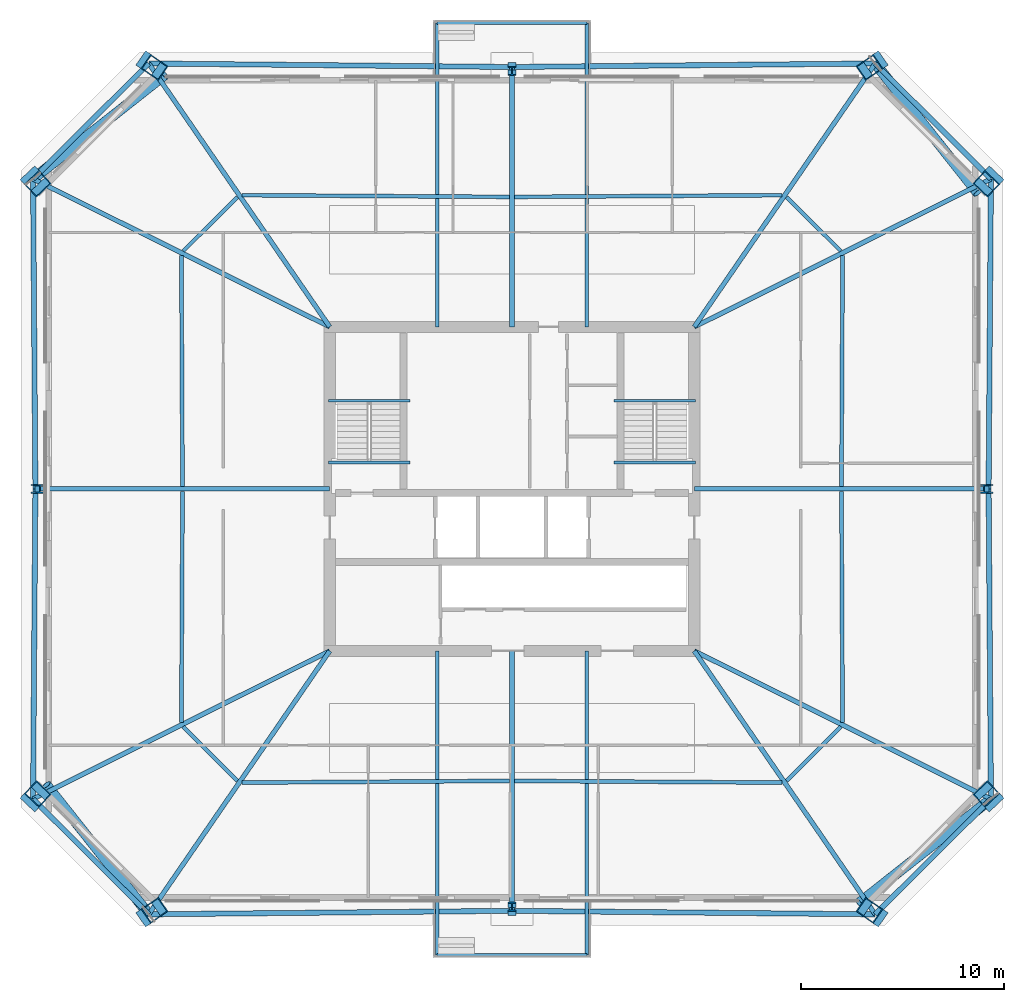
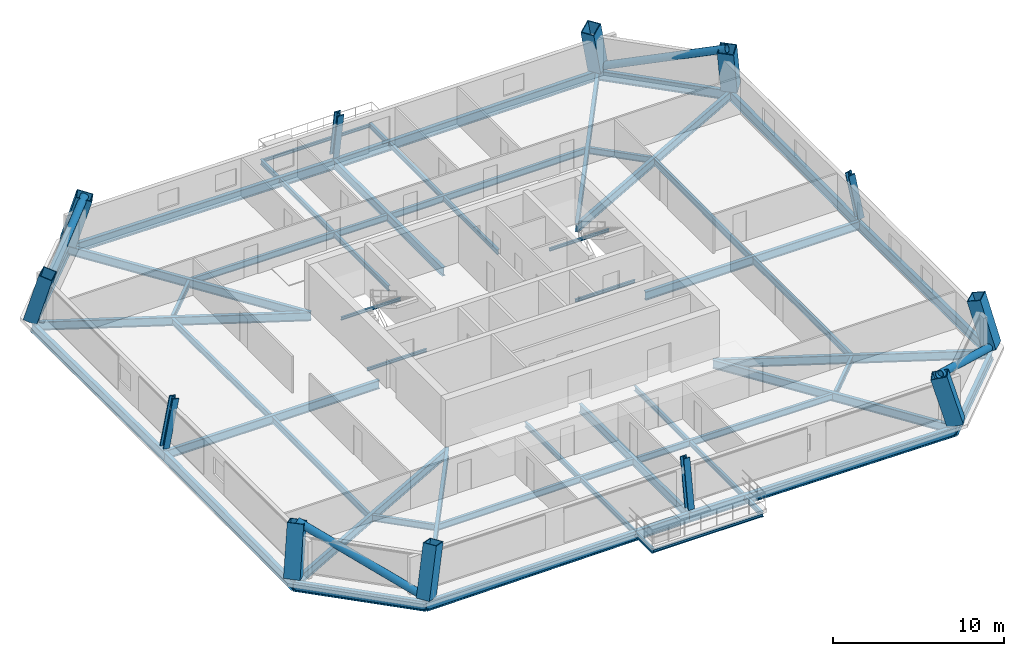
# One storey, part 1 of 7: 46 beams, 12 columns, 4 members.
"""IFC4 building model written with IfcOpenShell, lengths in metres."""

from ifc_helpers import new_model, si_unit, direction, frame, origin, origin_2d, place, context, subcontext, project, spatial, hollow_rectangle, hollow_circle, i_section, extrude, material, material_profile, profile_set, type_object, element, save


model = new_model("IFC4")

# Units and contexts
model_context = context("Model", 3, precision=1e-05, world=origin(), true_north=direction((0.0, 1.0)))
body_context = subcontext(model_context, "Body", "Model", "MODEL_VIEW")
ifc_project = project(units=[si_unit("LENGTHUNIT", "METRE"), si_unit("AREAUNIT", "SQUARE_METRE"), si_unit("VOLUMEUNIT", "CUBIC_METRE"), si_unit("PLANEANGLEUNIT", "RADIAN"), si_unit("MASSUNIT", "GRAM", prefix="KILO")], contexts=[model_context])

# Site, building, storey
site_placement = place(None, origin())
site = spatial("IfcSite", under=ifc_project, at=site_placement, CompositionType="ELEMENT")
building_placement = place(site_placement, origin())
building = spatial("IfcBuilding", under=site, at=building_placement, Name="Caelvoria Tower", CompositionType="ELEMENT")
storey_placement = place(building_placement, frame((0.0, 0.0, 113.199951171875)))
storey = spatial("IfcBuildingStorey", under=building, at=storey_placement, Name="L29", CompositionType="ELEMENT", Elevation=113.199951171875)

# Columns
ifc_material_1 = material(Name="Structural Steel ASTM A572 Gr.50", Category="steel")
ifc_material_profile_1 = material_profile(ifc_material_1, hollow_rectangle(XDim=0.85009765625, YDim=1.0, WallThickness=0.050048828125, at=origin_2d()), Name="Structural Steel ASTM A572 Gr.50")
ifc_profile_set_1 = profile_set([ifc_material_profile_1], Name="BOX1000X850X50 - Structural Steel ASTM A572 Gr.50")
column_type_1 = type_object("IfcColumnType", Name="Mega Box Column 1000x850x50", PredefinedType="COLUMN", material=ifc_profile_set_1)
for number, where, z_axis, x_axis, name in (
    (1, (28.0673828125, 10.99755859375, 0.0), (0.227500403072, 0.158558770333, 0.960782328601), (-0.571787524267, 0.820401747373, 0.0), "Perimeter Megaframe Column L29-P00"),
    (2, (63.9326171875, 10.99755859375, 0.0), (-0.227500403072, 0.158558770333, 0.960782328601), (-0.571787524267, -0.820401747373, 0.0), "Perimeter Megaframe Column L29-P02"),
):
    element("IfcColumn", number, at=place(storey_placement, frame(where, z_axis=z_axis, x_axis=x_axis)), inside=storey, type_object=column_type_1, Name=name, PredefinedType="COLUMN", context=body_context, shape_type="SweptSolid", body=[
        extrude(hollow_rectangle(XDim=0.85009765625, YDim=1.0, WallThickness=0.050048828125, at=origin_2d()), origin(), (0.0, 0.0, 1.0), 3.4951171875),
    ])
for number, where, z_axis, x_axis, name in (
    (3, (69.6455078125, 16.69140625, 0.0), (-0.187078780285, 0.199037835024, 0.961969578623), (0.658831210424, -0.700947149483, 0.273156603076), "Perimeter Megaframe Column L29-P03"),
    (4, (69.6455078125, 47.30859375, 0.0), (-0.187078780285, -0.199037835024, 0.961969578623), (0.658831210424, 0.700947149483, 0.273156603076), "Perimeter Megaframe Column L29-P05"),
):
    element("IfcColumn", number, at=place(storey_placement, frame(where, z_axis=z_axis, x_axis=x_axis)), inside=storey, type_object=column_type_1, Name=name, PredefinedType="COLUMN", context=body_context, shape_type="SweptSolid", body=[
        extrude(hollow_rectangle(XDim=0.85009765625, YDim=1.0, WallThickness=0.050048828125, at=origin_2d()), origin(), (0.0, 0.0, 1.0), 3.490966796875),
    ])
for number, where, z_axis, x_axis, name in (
    (5, (63.9326171875, 53.00244140625, 0.0), (-0.227500403072, -0.158558770333, 0.960782328601), (0.571787524267, -0.820401747373, 0.0), "Perimeter Megaframe Column L29-P06"),
    (6, (28.0673828125, 53.00244140625, 0.0), (0.227500403072, -0.158558770333, 0.960782328601), (0.571787524267, 0.820401747373, 0.0), "Perimeter Megaframe Column L29-P08"),
):
    element("IfcColumn", number, at=place(storey_placement, frame(where, z_axis=z_axis, x_axis=x_axis)), inside=storey, type_object=column_type_1, Name=name, PredefinedType="COLUMN", context=body_context, shape_type="SweptSolid", body=[
        extrude(hollow_rectangle(XDim=0.85009765625, YDim=1.0, WallThickness=0.050048828125, at=origin_2d()), origin(), (0.0, 0.0, 1.0), 3.4951171875),
    ])
for number, where, z_axis, x_axis, name in (
    (7, (22.3544921875, 47.30859375, 0.0), (0.187078780285, -0.199037835024, 0.961969578623), (-0.658831210424, 0.700947149483, 0.273156603076), "Perimeter Megaframe Column L29-P09"),
    (8, (22.3544921875, 16.69140625, 0.0), (0.187078780285, 0.199037835024, 0.961969578623), (-0.658831210424, -0.700947149483, 0.273156603076), "Perimeter Megaframe Column L29-P11"),
):
    element("IfcColumn", number, at=place(storey_placement, frame(where, z_axis=z_axis, x_axis=x_axis)), inside=storey, type_object=column_type_1, Name=name, PredefinedType="COLUMN", context=body_context, shape_type="SweptSolid", body=[
        extrude(hollow_rectangle(XDim=0.85009765625, YDim=1.0, WallThickness=0.050048828125, at=origin_2d()), origin(), (0.0, 0.0, 1.0), 3.490966796875),
    ])
ifc_material_2 = material(Name="Structural Steel ASTM A913 Gr.65", Category="steel")
ifc_material_profile_2 = material_profile(ifc_material_2, i_section(OverallWidth=0.41796875, OverallDepth=0.455078125, WebThickness=0.0419921875, FlangeThickness=0.067626953125, FilletRadius=0.02490234375, at=origin_2d()), Name="Structural Steel ASTM A913 Gr.65")
ifc_profile_set_2 = profile_set([ifc_material_profile_2], Name="W360X551 - Structural Steel ASTM A913 Gr.65")
column_type_2 = type_object("IfcColumnType", Name="Mid Frame Column W360X551", PredefinedType="COLUMN", material=ifc_profile_set_2)
column_1_placement = place(storey_placement, frame((46.0, 11.169921875, 0.0), z_axis=(0.0, 0.161641018094, 0.986849624446), x_axis=(-1.0, 0.0, 0.0)))
element("IfcColumn", 9, at=column_1_placement, inside=storey, type_object=column_type_2, Name="Perimeter Megaframe Column L29-P01", PredefinedType="COLUMN", context=body_context, shape_type="SweptSolid", body=[
    extrude(i_section(OverallWidth=0.41796875, OverallDepth=0.455078125, WebThickness=0.0419921875, FlangeThickness=0.067626953125, FilletRadius=0.02490234375, at=origin_2d()), origin(), (0.0, 0.0, 1.0), 3.40283203125),
])
column_2_placement = place(storey_placement, frame((69.530029296875, 32.0, 0.0), z_axis=(-0.19007295017, 0.0, 0.981769969806), x_axis=(0.981769969806, 0.0, 0.19007295017)))
element("IfcColumn", 10, at=column_2_placement, inside=storey, type_object=column_type_2, Name="Perimeter Megaframe Column L29-P04", PredefinedType="COLUMN", context=body_context, shape_type="SweptSolid", body=[
    extrude(i_section(OverallWidth=0.41796875, OverallDepth=0.455078125, WebThickness=0.0419921875, FlangeThickness=0.067626953125, FilletRadius=0.02490234375, at=origin_2d()), origin(), (0.0, 0.0, 1.0), 3.42041015625),
])
column_3_placement = place(storey_placement, frame((46.0, 52.830078125, 0.0), z_axis=(0.0, -0.161641018094, 0.986849624446), x_axis=(1.0, 0.0, 0.0)))
element("IfcColumn", 11, at=column_3_placement, inside=storey, type_object=column_type_2, Name="Perimeter Megaframe Column L29-P07", PredefinedType="COLUMN", context=body_context, shape_type="SweptSolid", body=[
    extrude(i_section(OverallWidth=0.41796875, OverallDepth=0.455078125, WebThickness=0.0419921875, FlangeThickness=0.067626953125, FilletRadius=0.02490234375, at=origin_2d()), origin(), (0.0, 0.0, 1.0), 3.40283203125),
])
column_4_placement = place(storey_placement, frame((22.469970703125, 32.0, 0.0), z_axis=(0.19007295017, 0.0, 0.981769969806), x_axis=(-0.981769969806, 0.0, 0.19007295017)))
element("IfcColumn", 12, at=column_4_placement, inside=storey, type_object=column_type_2, Name="Perimeter Megaframe Column L29-P10", PredefinedType="COLUMN", context=body_context, shape_type="SweptSolid", body=[
    extrude(i_section(OverallWidth=0.41796875, OverallDepth=0.455078125, WebThickness=0.0419921875, FlangeThickness=0.067626953125, FilletRadius=0.02490234375, at=origin_2d()), origin(), (0.0, 0.0, 1.0), 3.42041015625),
])

# Beams
ifc_material_3 = material(Name="Structural Steel ASTM A992 Gr.50", Category="steel")
ifc_material_profile_3 = material_profile(ifc_material_3, i_section(OverallWidth=0.134033203125, OverallDepth=0.2099609375, WebThickness=0.00634765625, FlangeThickness=0.01025390625, FilletRadius=0.010009765625, at=origin_2d()), Name="Structural Steel ASTM A992 Gr.50")
ifc_profile_set_3 = profile_set([ifc_material_profile_3], Name="W200X31.3 - Structural Steel ASTM A992 Gr.50")
beam_type_1 = type_object("IfcBeamType", Name="Canopy Edge Trim Beam W200X31.3", PredefinedType="BEAM", material=ifc_profile_set_3)
for number, where, z_axis, x_axis, name in (
    (13, (42.300048828125, 9.0, -0.428955078125), (1.0, 0.0, 0.0), (0.0, 1.0, 0.0), "Tree Balcony Edge Beam TB-L29-S"),
    (14, (42.300048828125, 55.0, -0.428955078125), (1.0, 0.0, 0.0), (0.0, 1.0, 0.0), "Tree Balcony Edge Beam TB-L29-N"),
):
    element("IfcBeam", number, at=place(storey_placement, frame(where, z_axis=z_axis, x_axis=x_axis)), inside=storey, type_object=beam_type_1, Name=name, PredefinedType="BEAM", context=body_context, shape_type="SweptSolid", body=[
        extrude(i_section(OverallWidth=0.134033203125, OverallDepth=0.2099609375, WebThickness=0.00634765625, FlangeThickness=0.01025390625, FilletRadius=0.010009765625, at=origin_2d()), origin(), (0.0, 0.0, 1.0), 7.39990234375),
    ])
for number, where, z_axis, x_axis, name in (
    (15, (36.929931640625, 36.35009765625, 1.4951171875), (1.0, 0.0, 0.0), (0.0, 1.0, 0.0), "ST-01 Half-Landing Support Beam L29"),
    (16, (36.929931640625, 33.300048828125, -0.304931640625), (1.0, 0.0, 0.0), (0.0, 1.0, 0.0), "ST-01 Floor-Landing Support Beam L29"),
    (17, (51.030029296875, 36.35009765625, 1.4951171875), (1.0, 0.0, 0.0), (0.0, 1.0, 0.0), "ST-02 Half-Landing Support Beam L29"),
    (18, (51.030029296875, 33.300048828125, -0.304931640625), (1.0, 0.0, 0.0), (0.0, 1.0, 0.0), "ST-02 Floor-Landing Support Beam L29"),
):
    element("IfcBeam", number, at=place(storey_placement, frame(where, z_axis=z_axis, x_axis=x_axis)), inside=storey, type_object=beam_type_1, Name=name, PredefinedType="BEAM", context=body_context, shape_type="SweptSolid", body=[
        extrude(i_section(OverallWidth=0.134033203125, OverallDepth=0.2099609375, WebThickness=0.00634765625, FlangeThickness=0.01025390625, FilletRadius=0.010009765625, at=origin_2d()), origin(), (0.0, 0.0, 1.0), 4.0400390625),
    ])

# Members
ifc_material_profile_4 = material_profile(ifc_material_1, hollow_circle(Radius=0.25390625, WallThickness=0.02001953125, at=origin_2d()), Name="Structural Steel ASTM A572 Gr.50")
ifc_profile_set_4 = profile_set([ifc_material_profile_4], Name="CHS508X20 - Structural Steel ASTM A572 Gr.50")
member_type = type_object("IfcMemberType", Name="Mid Perimeter Mega Brace CHS508X20", PredefinedType="BRACE", material=ifc_profile_set_4)
member_1_placement = place(storey_placement, frame((69.6455078125, 16.69140625, 0.0), z_axis=(-0.727345108854, -0.574410820107, 0.375528031405), x_axis=(0.619771234266, -0.784782528588, 0.0)))
element("IfcMember", 19, at=member_1_placement, inside=storey, type_object=member_type, Name="Perimeter Chamfer Mega Brace L29 SE", PredefinedType="BRACE", context=body_context, shape_type="SweptSolid", body=[
    extrude(hollow_circle(Radius=0.25390625, WallThickness=0.02001953125, at=origin_2d()), origin(), (0.0, 0.0, 1.0), 8.94775390625),
])
member_2_placement = place(storey_placement, frame((63.9326171875, 53.00244140625, 0.0), z_axis=(0.573989618858, -0.724736325514, 0.381173419751), x_axis=(0.783919457341, 0.620862532612, 0.0)))
element("IfcMember", 20, at=member_2_placement, inside=storey, type_object=member_type, Name="Perimeter Chamfer Mega Brace L29 NE", PredefinedType="BRACE", context=body_context, shape_type="SweptSolid", body=[
    extrude(hollow_circle(Radius=0.25390625, WallThickness=0.02001953125, at=origin_2d()), origin(), (0.0, 0.0, 1.0), 8.815185546875),
])
member_3_placement = place(storey_placement, frame((22.3544921875, 47.30859375, 0.0), z_axis=(0.727345108854, 0.574410820107, 0.375528031405), x_axis=(-0.619771234266, 0.784782528588, 0.0)))
element("IfcMember", 21, at=member_3_placement, inside=storey, type_object=member_type, Name="Perimeter Chamfer Mega Brace L29 NW", PredefinedType="BRACE", context=body_context, shape_type="SweptSolid", body=[
    extrude(hollow_circle(Radius=0.25390625, WallThickness=0.02001953125, at=origin_2d()), origin(), (0.0, 0.0, 1.0), 8.94775390625),
])
member_4_placement = place(storey_placement, frame((28.0673828125, 10.99755859375, 0.0), z_axis=(-0.573989618858, 0.724736325514, 0.381173419751), x_axis=(-0.783919457341, -0.620862532612, 0.0)))
element("IfcMember", 22, at=member_4_placement, inside=storey, type_object=member_type, Name="Perimeter Chamfer Mega Brace L29 SW", PredefinedType="BRACE", context=body_context, shape_type="SweptSolid", body=[
    extrude(hollow_circle(Radius=0.25390625, WallThickness=0.02001953125, at=origin_2d()), origin(), (0.0, 0.0, 1.0), 8.815185546875),
])

# Beams
ifc_material_profile_5 = material_profile(ifc_material_3, i_section(OverallWidth=0.25390625, OverallDepth=0.68798828125, WebThickness=0.01318359375, FlangeThickness=0.02099609375, FilletRadius=0.01904296875, at=origin_2d()), Name="Structural Steel ASTM A992 Gr.50")
ifc_profile_set_5 = profile_set([ifc_material_profile_5], Name="W690X152 - Structural Steel ASTM A992 Gr.50")
beam_type_2 = type_object("IfcBeamType", Name="Perimeter Spandrel Girder W690X152", PredefinedType="BEAM", material=ifc_profile_set_5)
for number, where, z_axis, x_axis, name in (
    (23, (28.0673828125, 10.99755859375, -0.583984375), (0.999953810627, 0.009611275259, 0.0), (-0.009611275259, 0.999953810627, 0.0), "Perimeter Spandrel Girder L29-00"),
    (24, (46.0, 11.169921875, -0.583984375), (0.999953810627, -0.009611275259, 0.0), (0.009611275259, 0.999953810627, 0.0), "Perimeter Spandrel Girder L29-01"),
):
    element("IfcBeam", number, at=place(storey_placement, frame(where, z_axis=z_axis, x_axis=x_axis)), inside=storey, type_object=beam_type_2, Name=name, PredefinedType="BEAM", context=body_context, shape_type="SweptSolid", body=[
        extrude(i_section(OverallWidth=0.25390625, OverallDepth=0.68798828125, WebThickness=0.01318359375, FlangeThickness=0.02099609375, FilletRadius=0.01904296875, at=origin_2d()), origin(), (0.0, 0.0, 1.0), 17.933349609375),
    ])
beam_1_placement = place(storey_placement, frame((63.9326171875, 10.99755859375, -0.583984375), z_axis=(0.708286272936, 0.705925318692, 0.0), x_axis=(-0.705925318692, 0.708286272936, 0.0)))
element("IfcBeam", 25, at=beam_1_placement, inside=storey, type_object=beam_type_2, Name="Perimeter Spandrel Girder L29-02", PredefinedType="BEAM", context=body_context, shape_type="SweptSolid", body=[
    extrude(i_section(OverallWidth=0.25390625, OverallDepth=0.68798828125, WebThickness=0.01318359375, FlangeThickness=0.02099609375, FilletRadius=0.01904296875, at=origin_2d()), origin(), (0.0, 0.0, 1.0), 8.065673828125),
])
for number, where, z_axis, x_axis, name in (
    (26, (69.6455078125, 16.69140625, -0.583984375), (-0.007543163803, 0.999971549935, 0.0), (-0.999971549935, -0.007543163803, 0.0), "Perimeter Spandrel Girder L29-03"),
    (27, (69.530029296875, 32.0, -0.583984375), (0.007543163803, 0.999971549935, 0.0), (-0.999971549935, 0.007543163803, 0.0), "Perimeter Spandrel Girder L29-04"),
):
    element("IfcBeam", number, at=place(storey_placement, frame(where, z_axis=z_axis, x_axis=x_axis)), inside=storey, type_object=beam_type_2, Name=name, PredefinedType="BEAM", context=body_context, shape_type="SweptSolid", body=[
        extrude(i_section(OverallWidth=0.25390625, OverallDepth=0.68798828125, WebThickness=0.01318359375, FlangeThickness=0.02099609375, FilletRadius=0.01904296875, at=origin_2d()), origin(), (0.0, 0.0, 1.0), 15.30908203125),
    ])
beam_2_placement = place(storey_placement, frame((69.6455078125, 47.30859375, -0.583984375), z_axis=(-0.708286272936, 0.705925318692, 0.0), x_axis=(-0.705925318692, -0.708286272936, 0.0)))
element("IfcBeam", 28, at=beam_2_placement, inside=storey, type_object=beam_type_2, Name="Perimeter Spandrel Girder L29-05", PredefinedType="BEAM", context=body_context, shape_type="SweptSolid", body=[
    extrude(i_section(OverallWidth=0.25390625, OverallDepth=0.68798828125, WebThickness=0.01318359375, FlangeThickness=0.02099609375, FilletRadius=0.01904296875, at=origin_2d()), origin(), (0.0, 0.0, 1.0), 8.065673828125),
])
for number, where, z_axis, x_axis, name in (
    (29, (63.9326171875, 53.00244140625, -0.583984375), (-0.999953810627, -0.009611275259, 0.0), (0.009611275259, -0.999953810627, 0.0), "Perimeter Spandrel Girder L29-06"),
    (30, (46.0, 52.830078125, -0.583984375), (-0.999953810627, 0.009611275259, 0.0), (-0.009611275259, -0.999953810627, 0.0), "Perimeter Spandrel Girder L29-07"),
):
    element("IfcBeam", number, at=place(storey_placement, frame(where, z_axis=z_axis, x_axis=x_axis)), inside=storey, type_object=beam_type_2, Name=name, PredefinedType="BEAM", context=body_context, shape_type="SweptSolid", body=[
        extrude(i_section(OverallWidth=0.25390625, OverallDepth=0.68798828125, WebThickness=0.01318359375, FlangeThickness=0.02099609375, FilletRadius=0.01904296875, at=origin_2d()), origin(), (0.0, 0.0, 1.0), 17.933349609375),
    ])
beam_3_placement = place(storey_placement, frame((28.0673828125, 53.00244140625, -0.583984375), z_axis=(-0.708286272936, -0.705925318692, 0.0), x_axis=(0.705925318692, -0.708286272936, 0.0)))
element("IfcBeam", 31, at=beam_3_placement, inside=storey, type_object=beam_type_2, Name="Perimeter Spandrel Girder L29-08", PredefinedType="BEAM", context=body_context, shape_type="SweptSolid", body=[
    extrude(i_section(OverallWidth=0.25390625, OverallDepth=0.68798828125, WebThickness=0.01318359375, FlangeThickness=0.02099609375, FilletRadius=0.01904296875, at=origin_2d()), origin(), (0.0, 0.0, 1.0), 8.065673828125),
])
for number, where, z_axis, x_axis, name in (
    (32, (22.3544921875, 47.30859375, -0.583984375), (0.007543163803, -0.999971549935, 0.0), (0.999971549935, 0.007543163803, 0.0), "Perimeter Spandrel Girder L29-09"),
    (33, (22.469970703125, 32.0, -0.583984375), (-0.007543163803, -0.999971549935, 0.0), (0.999971549935, -0.007543163803, 0.0), "Perimeter Spandrel Girder L29-10"),
):
    element("IfcBeam", number, at=place(storey_placement, frame(where, z_axis=z_axis, x_axis=x_axis)), inside=storey, type_object=beam_type_2, Name=name, PredefinedType="BEAM", context=body_context, shape_type="SweptSolid", body=[
        extrude(i_section(OverallWidth=0.25390625, OverallDepth=0.68798828125, WebThickness=0.01318359375, FlangeThickness=0.02099609375, FilletRadius=0.01904296875, at=origin_2d()), origin(), (0.0, 0.0, 1.0), 15.30908203125),
    ])
beam_4_placement = place(storey_placement, frame((22.3544921875, 16.69140625, -0.583984375), z_axis=(0.708286272936, -0.705925318692, 0.0), x_axis=(0.705925318692, 0.708286272936, 0.0)))
element("IfcBeam", 34, at=beam_4_placement, inside=storey, type_object=beam_type_2, Name="Perimeter Spandrel Girder L29-11", PredefinedType="BEAM", context=body_context, shape_type="SweptSolid", body=[
    extrude(i_section(OverallWidth=0.25390625, OverallDepth=0.68798828125, WebThickness=0.01318359375, FlangeThickness=0.02099609375, FilletRadius=0.01904296875, at=origin_2d()), origin(), (0.0, 0.0, 1.0), 8.065673828125),
])
ifc_material_profile_6 = material_profile(ifc_material_3, i_section(OverallWidth=0.22900390625, OverallDepth=0.612060546875, WebThickness=0.011962890625, FlangeThickness=0.01953125, FilletRadius=0.01806640625, at=origin_2d()), Name="Structural Steel ASTM A992 Gr.50")
ifc_profile_set_6 = profile_set([ifc_material_profile_6], Name="W610X125 - Structural Steel ASTM A992 Gr.50")
beam_type_3 = type_object("IfcBeamType", Name="Primary Radial Floor Girder W610X125", PredefinedType="BEAM", material=ifc_profile_set_6)
beam_5_placement = place(storey_placement, frame((37.0, 24.0, -0.5458984375), z_axis=(-0.566246357652, -0.824236047771, 0.0), x_axis=(0.824236047771, -0.566246357652, 0.0)))
element("IfcBeam", 35, at=beam_5_placement, inside=storey, type_object=beam_type_3, Name="Primary Floor Girder L29-00", PredefinedType="BEAM", context=body_context, shape_type="SweptSolid", body=[
    extrude(i_section(OverallWidth=0.22900390625, OverallDepth=0.612060546875, WebThickness=0.011962890625, FlangeThickness=0.01953125, FilletRadius=0.01806640625, at=origin_2d()), origin(), (0.0, 0.0, 1.0), 15.775146484375),
])
beam_6_placement = place(storey_placement, frame((46.0, 24.0, -0.5458984375), z_axis=(0.0, -1.0, 0.0), x_axis=(1.0, 0.0, 0.0)))
element("IfcBeam", 36, at=beam_6_placement, inside=storey, type_object=beam_type_3, Name="Primary Floor Girder L29-01", PredefinedType="BEAM", context=body_context, shape_type="SweptSolid", body=[
    extrude(i_section(OverallWidth=0.22900390625, OverallDepth=0.612060546875, WebThickness=0.011962890625, FlangeThickness=0.01953125, FilletRadius=0.01806640625, at=origin_2d()), origin(), (0.0, 0.0, 1.0), 12.830078125),
])
beam_7_placement = place(storey_placement, frame((55.0, 24.0, -0.5458984375), z_axis=(0.566246357652, -0.824236047771, 0.0), x_axis=(0.824236047771, 0.566246357652, 0.0)))
element("IfcBeam", 37, at=beam_7_placement, inside=storey, type_object=beam_type_3, Name="Primary Floor Girder L29-02", PredefinedType="BEAM", context=body_context, shape_type="SweptSolid", body=[
    extrude(i_section(OverallWidth=0.22900390625, OverallDepth=0.612060546875, WebThickness=0.011962890625, FlangeThickness=0.01953125, FilletRadius=0.01806640625, at=origin_2d()), origin(), (0.0, 0.0, 1.0), 15.775146484375),
])
beam_8_placement = place(storey_placement, frame((55.0, 24.0, -0.5458984375), z_axis=(0.894772971324, -0.446521365432, 0.0), x_axis=(0.446521365432, 0.894772971324, 0.0)))
element("IfcBeam", 38, at=beam_8_placement, inside=storey, type_object=beam_type_3, Name="Primary Floor Girder L29-03", PredefinedType="BEAM", context=body_context, shape_type="SweptSolid", body=[
    extrude(i_section(OverallWidth=0.22900390625, OverallDepth=0.612060546875, WebThickness=0.011962890625, FlangeThickness=0.01953125, FilletRadius=0.01806640625, at=origin_2d()), origin(), (0.0, 0.0, 1.0), 16.367919921875),
])
beam_9_placement = place(storey_placement, frame((55.0, 32.0, -0.5458984375), z_axis=(1.0, 0.0, 0.0), x_axis=(0.0, 1.0, 0.0)))
element("IfcBeam", 39, at=beam_9_placement, inside=storey, type_object=beam_type_3, Name="Primary Floor Girder L29-04", PredefinedType="BEAM", context=body_context, shape_type="SweptSolid", body=[
    extrude(i_section(OverallWidth=0.22900390625, OverallDepth=0.612060546875, WebThickness=0.011962890625, FlangeThickness=0.01953125, FilletRadius=0.01806640625, at=origin_2d()), origin(), (0.0, 0.0, 1.0), 14.530029296875),
])
beam_10_placement = place(storey_placement, frame((55.0, 40.0, -0.5458984375), z_axis=(0.894772971324, 0.446521365432, 0.0), x_axis=(-0.446521365432, 0.894772971324, 0.0)))
element("IfcBeam", 40, at=beam_10_placement, inside=storey, type_object=beam_type_3, Name="Primary Floor Girder L29-05", PredefinedType="BEAM", context=body_context, shape_type="SweptSolid", body=[
    extrude(i_section(OverallWidth=0.22900390625, OverallDepth=0.612060546875, WebThickness=0.011962890625, FlangeThickness=0.01953125, FilletRadius=0.01806640625, at=origin_2d()), origin(), (0.0, 0.0, 1.0), 16.367919921875),
])
beam_11_placement = place(storey_placement, frame((55.0, 40.0, -0.5458984375), z_axis=(0.566246357652, 0.824236047771, 0.0), x_axis=(-0.824236047771, 0.566246357652, 0.0)))
element("IfcBeam", 41, at=beam_11_placement, inside=storey, type_object=beam_type_3, Name="Primary Floor Girder L29-06", PredefinedType="BEAM", context=body_context, shape_type="SweptSolid", body=[
    extrude(i_section(OverallWidth=0.22900390625, OverallDepth=0.612060546875, WebThickness=0.011962890625, FlangeThickness=0.01953125, FilletRadius=0.01806640625, at=origin_2d()), origin(), (0.0, 0.0, 1.0), 15.775146484375),
])
beam_12_placement = place(storey_placement, frame((46.0, 40.0, -0.5458984375), z_axis=(0.0, 1.0, 0.0), x_axis=(-1.0, 0.0, 0.0)))
element("IfcBeam", 42, at=beam_12_placement, inside=storey, type_object=beam_type_3, Name="Primary Floor Girder L29-07", PredefinedType="BEAM", context=body_context, shape_type="SweptSolid", body=[
    extrude(i_section(OverallWidth=0.22900390625, OverallDepth=0.612060546875, WebThickness=0.011962890625, FlangeThickness=0.01953125, FilletRadius=0.01806640625, at=origin_2d()), origin(), (0.0, 0.0, 1.0), 12.830078125),
])
beam_13_placement = place(storey_placement, frame((37.0, 40.0, -0.5458984375), z_axis=(-0.566246357652, 0.824236047771, 0.0), x_axis=(-0.824236047771, -0.566246357652, 0.0)))
element("IfcBeam", 43, at=beam_13_placement, inside=storey, type_object=beam_type_3, Name="Primary Floor Girder L29-08", PredefinedType="BEAM", context=body_context, shape_type="SweptSolid", body=[
    extrude(i_section(OverallWidth=0.22900390625, OverallDepth=0.612060546875, WebThickness=0.011962890625, FlangeThickness=0.01953125, FilletRadius=0.01806640625, at=origin_2d()), origin(), (0.0, 0.0, 1.0), 15.775146484375),
])
beam_14_placement = place(storey_placement, frame((37.0, 40.0, -0.5458984375), z_axis=(-0.894772971324, 0.446521365432, 0.0), x_axis=(-0.446521365432, -0.894772971324, 0.0)))
element("IfcBeam", 44, at=beam_14_placement, inside=storey, type_object=beam_type_3, Name="Primary Floor Girder L29-09", PredefinedType="BEAM", context=body_context, shape_type="SweptSolid", body=[
    extrude(i_section(OverallWidth=0.22900390625, OverallDepth=0.612060546875, WebThickness=0.011962890625, FlangeThickness=0.01953125, FilletRadius=0.01806640625, at=origin_2d()), origin(), (0.0, 0.0, 1.0), 16.367919921875),
])
beam_15_placement = place(storey_placement, frame((37.0, 32.0, -0.5458984375), z_axis=(-1.0, 0.0, 0.0), x_axis=(0.0, -1.0, 0.0)))
element("IfcBeam", 45, at=beam_15_placement, inside=storey, type_object=beam_type_3, Name="Primary Floor Girder L29-10", PredefinedType="BEAM", context=body_context, shape_type="SweptSolid", body=[
    extrude(i_section(OverallWidth=0.22900390625, OverallDepth=0.612060546875, WebThickness=0.011962890625, FlangeThickness=0.01953125, FilletRadius=0.01806640625, at=origin_2d()), origin(), (0.0, 0.0, 1.0), 14.530029296875),
])
beam_16_placement = place(storey_placement, frame((37.0, 24.0, -0.5458984375), z_axis=(-0.894772971324, -0.446521365432, 0.0), x_axis=(0.446521365432, -0.894772971324, 0.0)))
element("IfcBeam", 46, at=beam_16_placement, inside=storey, type_object=beam_type_3, Name="Primary Floor Girder L29-11", PredefinedType="BEAM", context=body_context, shape_type="SweptSolid", body=[
    extrude(i_section(OverallWidth=0.22900390625, OverallDepth=0.612060546875, WebThickness=0.011962890625, FlangeThickness=0.01953125, FilletRadius=0.01806640625, at=origin_2d()), origin(), (0.0, 0.0, 1.0), 16.367919921875),
])
ifc_material_profile_7 = material_profile(ifc_material_3, i_section(OverallWidth=0.18994140625, OverallDepth=0.45703125, WebThickness=0.009033203125, FlangeThickness=0.014404296875, FilletRadius=0.014892578125, at=origin_2d()), Name="Structural Steel ASTM A992 Gr.50")
ifc_profile_set_7 = profile_set([ifc_material_profile_7], Name="W460X74 - Structural Steel ASTM A992 Gr.50")
beam_type_4 = type_object("IfcBeamType", Name="Secondary Floor Beam W460X74", PredefinedType="BEAM", material=ifc_profile_set_7)
for number, where, z_axis, x_axis, name in (
    (47, (32.65869140625, 17.49951171875, -0.468505859375), (0.999979456458, 0.006409887897, 0.0), (-0.006409887897, 0.999979456458, 0.0), "Secondary Floor Beam L29-00"),
    (48, (46.125, 17.584228515625, -0.468505859375), (0.999979456458, -0.006409887897, 0.0), (0.006409887897, 0.999979456458, 0.0), "Secondary Floor Beam L29-01"),
):
    element("IfcBeam", number, at=place(storey_placement, frame(where, z_axis=z_axis, x_axis=x_axis)), inside=storey, type_object=beam_type_4, Name=name, PredefinedType="BEAM", context=body_context, shape_type="SweptSolid", body=[
        extrude(i_section(OverallWidth=0.18994140625, OverallDepth=0.45703125, WebThickness=0.009033203125, FlangeThickness=0.014404296875, FilletRadius=0.014892578125, at=origin_2d()), origin(), (0.0, 0.0, 1.0), 13.216552734375),
    ])
beam_17_placement = place(storey_placement, frame((59.5546875, 17.5869140625, -0.468505859375), z_axis=(0.708331875661, 0.705879560494, 0.0), x_axis=(-0.705879560494, 0.708331875661, 0.0)))
element("IfcBeam", 49, at=beam_17_placement, inside=storey, type_object=beam_type_4, Name="Secondary Floor Beam L29-02", PredefinedType="BEAM", context=body_context, shape_type="SweptSolid", body=[
    extrude(i_section(OverallWidth=0.18994140625, OverallDepth=0.45703125, WebThickness=0.009033203125, FlangeThickness=0.014404296875, FilletRadius=0.014892578125, at=origin_2d()), origin(), (0.0, 0.0, 1.0), 3.783203125),
])
for number, where, z_axis, x_axis, name in (
    (50, (62.322265625, 20.470703125, -0.468505859375), (-0.004966542616, 0.999987666651, 0.0), (-0.999987666651, -0.004966542616, 0.0), "Secondary Floor Beam L29-03"),
    (51, (62.265625, 32.125, -0.468505859375), (0.004966542616, 0.999987666651, 0.0), (-0.999987666651, 0.004966542616, 0.0), "Secondary Floor Beam L29-04"),
):
    element("IfcBeam", number, at=place(storey_placement, frame(where, z_axis=z_axis, x_axis=x_axis)), inside=storey, type_object=beam_type_4, Name=name, PredefinedType="BEAM", context=body_context, shape_type="SweptSolid", body=[
        extrude(i_section(OverallWidth=0.18994140625, OverallDepth=0.45703125, WebThickness=0.009033203125, FlangeThickness=0.014404296875, FilletRadius=0.014892578125, at=origin_2d()), origin(), (0.0, 0.0, 1.0), 11.404541015625),
    ])
beam_18_placement = place(storey_placement, frame((62.234375, 43.74267578125, -0.468505859375), z_axis=(-0.708331875661, 0.705879560494, 0.0), x_axis=(-0.705879560494, -0.708331875661, 0.0)))
element("IfcBeam", 52, at=beam_18_placement, inside=storey, type_object=beam_type_4, Name="Secondary Floor Beam L29-05", PredefinedType="BEAM", context=body_context, shape_type="SweptSolid", body=[
    extrude(i_section(OverallWidth=0.18994140625, OverallDepth=0.45703125, WebThickness=0.009033203125, FlangeThickness=0.014404296875, FilletRadius=0.014892578125, at=origin_2d()), origin(), (0.0, 0.0, 1.0), 3.783203125),
])
for number, where, z_axis, x_axis, name in (
    (53, (59.34130859375, 46.50048828125, -0.468505859375), (-0.999979456458, -0.006409887897, 0.0), (0.006409887897, -0.999979456458, 0.0), "Secondary Floor Beam L29-06"),
    (54, (45.875, 46.415771484375, -0.468505859375), (-0.999979456458, 0.006409887897, 0.0), (-0.006409887897, -0.999979456458, 0.0), "Secondary Floor Beam L29-07"),
):
    element("IfcBeam", number, at=place(storey_placement, frame(where, z_axis=z_axis, x_axis=x_axis)), inside=storey, type_object=beam_type_4, Name=name, PredefinedType="BEAM", context=body_context, shape_type="SweptSolid", body=[
        extrude(i_section(OverallWidth=0.18994140625, OverallDepth=0.45703125, WebThickness=0.009033203125, FlangeThickness=0.014404296875, FilletRadius=0.014892578125, at=origin_2d()), origin(), (0.0, 0.0, 1.0), 13.216552734375),
    ])
beam_19_placement = place(storey_placement, frame((32.4453125, 46.4130859375, -0.468505859375), z_axis=(-0.708331875661, -0.705879560494, 0.0), x_axis=(0.705879560494, -0.708331875661, 0.0)))
element("IfcBeam", 55, at=beam_19_placement, inside=storey, type_object=beam_type_4, Name="Secondary Floor Beam L29-08", PredefinedType="BEAM", context=body_context, shape_type="SweptSolid", body=[
    extrude(i_section(OverallWidth=0.18994140625, OverallDepth=0.45703125, WebThickness=0.009033203125, FlangeThickness=0.014404296875, FilletRadius=0.014892578125, at=origin_2d()), origin(), (0.0, 0.0, 1.0), 3.783203125),
])
for number, where, z_axis, x_axis, name in (
    (56, (29.677734375, 43.529296875, -0.468505859375), (0.004966542616, -0.999987666651, 0.0), (0.999987666651, 0.004966542616, 0.0), "Secondary Floor Beam L29-09"),
    (57, (29.734375, 31.875, -0.468505859375), (-0.004966542616, -0.999987666651, 0.0), (0.999987666651, -0.004966542616, 0.0), "Secondary Floor Beam L29-10"),
):
    element("IfcBeam", number, at=place(storey_placement, frame(where, z_axis=z_axis, x_axis=x_axis)), inside=storey, type_object=beam_type_4, Name=name, PredefinedType="BEAM", context=body_context, shape_type="SweptSolid", body=[
        extrude(i_section(OverallWidth=0.18994140625, OverallDepth=0.45703125, WebThickness=0.009033203125, FlangeThickness=0.014404296875, FilletRadius=0.014892578125, at=origin_2d()), origin(), (0.0, 0.0, 1.0), 11.404541015625),
    ])
beam_20_placement = place(storey_placement, frame((29.765625, 20.25732421875, -0.468505859375), z_axis=(0.708331875661, -0.705879560494, 0.0), x_axis=(0.705879560494, 0.708331875661, 0.0)))
element("IfcBeam", 58, at=beam_20_placement, inside=storey, type_object=beam_type_4, Name="Secondary Floor Beam L29-11", PredefinedType="BEAM", context=body_context, shape_type="SweptSolid", body=[
    extrude(i_section(OverallWidth=0.18994140625, OverallDepth=0.45703125, WebThickness=0.009033203125, FlangeThickness=0.014404296875, FilletRadius=0.014892578125, at=origin_2d()), origin(), (0.0, 0.0, 1.0), 3.783203125),
])
ifc_material_profile_8 = material_profile(ifc_material_3, i_section(OverallWidth=0.1708984375, OverallDepth=0.35498046875, WebThickness=0.007080078125, FlangeThickness=0.01171875, FilletRadius=0.012939453125, at=origin_2d()), Name="Structural Steel ASTM A992 Gr.50")
ifc_profile_set_8 = profile_set([ifc_material_profile_8], Name="W360X51 - Structural Steel ASTM A992 Gr.50")
beam_type_5 = type_object("IfcBeamType", Name="Tree Balcony Cantilever Beam W360X51", PredefinedType="BEAM", material=ifc_profile_set_8)
for number, where, z_axis, x_axis, name in (
    (59, (42.300048828125, 24.0, -0.428955078125), (0.0, -1.0, 0.0), (1.0, 0.0, 0.0), "Tree Balcony Cantilever Beam TB-L29-S L"),
    (60, (49.699951171875, 24.0, -0.428955078125), (0.0, -1.0, 0.0), (1.0, 0.0, 0.0), "Tree Balcony Cantilever Beam TB-L29-S R"),
    (61, (42.300048828125, 40.0, -0.428955078125), (0.0, 1.0, 0.0), (-1.0, 0.0, 0.0), "Tree Balcony Cantilever Beam TB-L29-N L"),
    (62, (49.699951171875, 40.0, -0.428955078125), (0.0, 1.0, 0.0), (-1.0, 0.0, 0.0), "Tree Balcony Cantilever Beam TB-L29-N R"),
):
    element("IfcBeam", number, at=place(storey_placement, frame(where, z_axis=z_axis, x_axis=x_axis)), inside=storey, type_object=beam_type_5, Name=name, PredefinedType="BEAM", context=body_context, shape_type="SweptSolid", body=[
        extrude(i_section(OverallWidth=0.1708984375, OverallDepth=0.35498046875, WebThickness=0.007080078125, FlangeThickness=0.01171875, FilletRadius=0.012939453125, at=origin_2d()), origin(), (0.0, 0.0, 1.0), 15.0),
    ])

save(model, "model.ifc")
